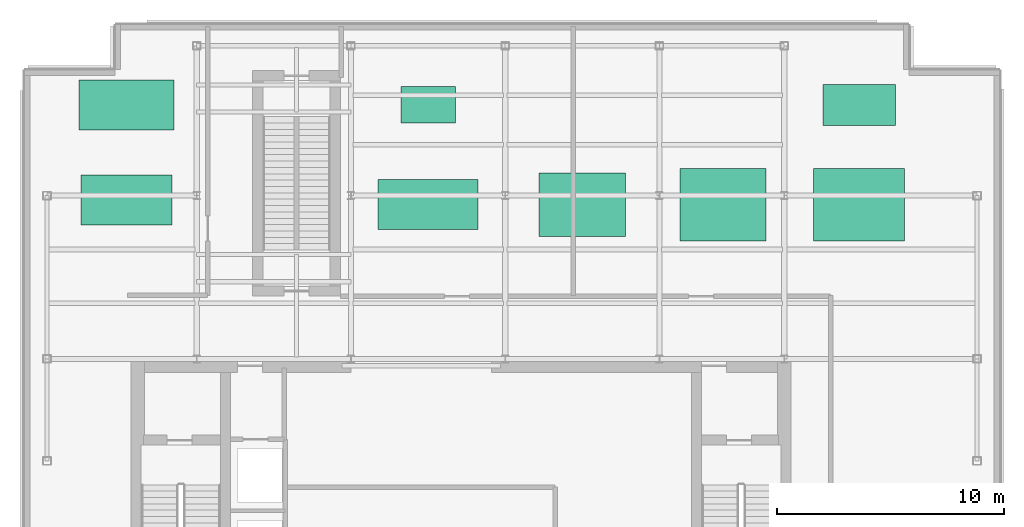
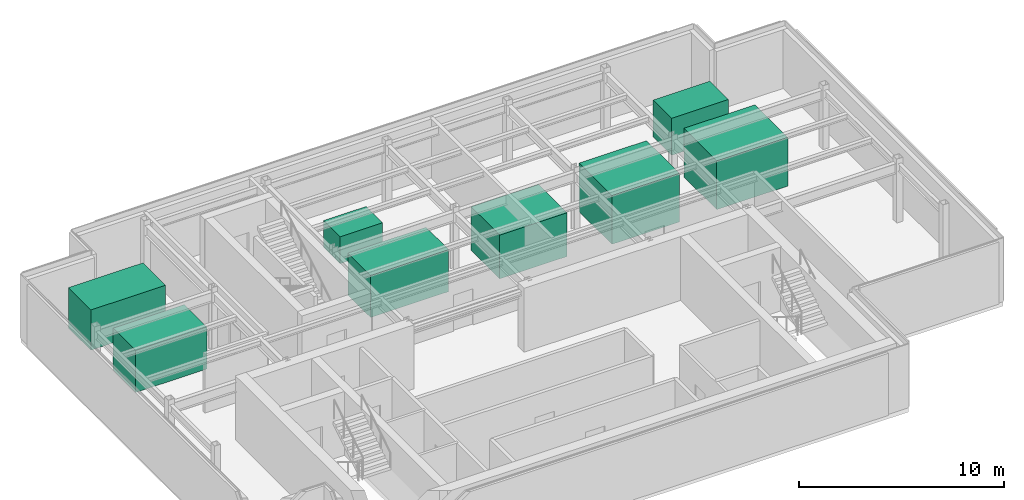
# One storey, part 7 of 7: 2 chillers, 2 cooling towers, 1 boiler, 1 pump, 1 tank, 1 unitary equipment element.
"""IFC4 building model written with IfcOpenShell, lengths in metres."""

import ifcopenshell
import ifcopenshell.guid

model = None  # the IFC model being written
_history = None  # IfcOwnerHistory: only IFC2X3 demands one
_inside = {}  # id of a spatial element -> (the spatial element, [elements in it])
_under = {}  # id of a project, library or spatial element -> (it, [spatial elements below it])
_declared = {}  # id of a project -> (the project, [libraries it declares])
_typed = {}  # id of a type object -> (the type object, [elements of that type])
_made_of = {}  # id of a material, layer set ... -> (it, [elements and type objects made of it])


def new_model(schema):
    """Start an empty IFC model of exactly this schema.

    Asked for "IFC4X3", IfcOpenShell would pick the latest addendum, in which some entities
    have other attributes; the version numbers below select the first issue.
    IFC2X3 requires an IfcOwnerHistory on every rooted entity: one is made here for all.
    """
    global model, _history
    if schema == "IFC4X3":
        model = ifcopenshell.file(schema_version=(4, 3, 0, 0))
    else:
        model = ifcopenshell.file(schema=schema)
    _inside.clear()
    _under.clear()
    _declared.clear()
    _typed.clear()
    _made_of.clear()
    _history = None
    if model.schema == "IFC2X3":
        org = make("IfcOrganization", Name="unknown")
        user = make(
            "IfcPersonAndOrganization",
            ThePerson=make("IfcPerson", FamilyName="unknown"),
            TheOrganization=org,
        )
        app = make(
            "IfcApplication",
            ApplicationDeveloper=org,
            Version="unknown",
            ApplicationFullName="unknown",
            ApplicationIdentifier="unknown",
        )
        _history = make(
            "IfcOwnerHistory",
            OwningUser=user,
            OwningApplication=app,
            ChangeAction="ADDED",
            CreationDate=0,
        )
    return model


def make(cls, **values):
    """One entity of the class cls with the attributes given. An attribute that is None is left unset."""
    return model.create_entity(
        cls, **{name: value for name, value in values.items() if value is not None}
    )


def rooted(cls, **values):
    """An entity with a GlobalId (a new one), such as an element, a storey or a relation."""
    return make(cls, GlobalId=ifcopenshell.guid.new(), OwnerHistory=_history, **values)


def si_unit(unit_type, name, prefix=None):
    """IfcSIUnit, for example si_unit("LENGTHUNIT", "METRE", prefix="MILLI")."""
    return make("IfcSIUnit", UnitType=unit_type, Prefix=prefix, Name=name)


def derived_unit(unit_type, elements):
    """IfcDerivedUnit: a product of units, each with its exponent."""
    return make(
        "IfcDerivedUnit",
        Elements=[
            make("IfcDerivedUnitElement", Unit=unit, Exponent=power)
            for unit, power in elements
        ],
        UnitType=unit_type,
    )


def assignment(units):
    """IfcUnitAssignment: the units of a project."""
    return None if units is None else make("IfcUnitAssignment", Units=units)


def point(xyz):
    """IfcCartesianPoint."""
    return None if xyz is None else make("IfcCartesianPoint", Coordinates=xyz)


def direction(xyz):
    """IfcDirection."""
    return None if xyz is None else make("IfcDirection", DirectionRatios=xyz)


def frame(location, z_axis=None, x_axis=None):
    """IfcAxis2Placement3D, a coordinate frame: its origin and axes. An axis left out is left unset."""
    return make(
        "IfcAxis2Placement3D",
        Location=point(location),
        Axis=direction(z_axis),
        RefDirection=direction(x_axis),
    )


def frame_2d(location, x_axis=None):
    """IfcAxis2Placement2D, a coordinate frame in the plane: its origin and x axis."""
    return make(
        "IfcAxis2Placement2D", Location=point(location), RefDirection=direction(x_axis)
    )


def origin():
    """The frame at (0, 0, 0) with its axes left unset."""
    return frame((0.0, 0.0, 0.0))


def origin_2d():
    """The frame at (0, 0) in the plane with its x axis left unset."""
    return frame_2d((0.0, 0.0))


def place(relative_to, where):
    """IfcLocalPlacement: puts the frame where relative to a parent placement (None: the world)."""
    return make(
        "IfcLocalPlacement", PlacementRelTo=relative_to, RelativePlacement=where
    )


def context(
    kind, dimensions, precision=None, world=None, true_north=None, identifier=None
):
    """IfcGeometricRepresentationContext, for example the 3D "Model" context."""
    return make(
        "IfcGeometricRepresentationContext",
        ContextIdentifier=identifier,
        ContextType=kind,
        CoordinateSpaceDimension=dimensions,
        Precision=precision,
        WorldCoordinateSystem=world,
        TrueNorth=true_north,
    )


def subcontext(parent, identifier, kind, view, scale=None):
    """IfcGeometricRepresentationSubContext, for example "Body" below "Model"."""
    return make(
        "IfcGeometricRepresentationSubContext",
        ContextIdentifier=identifier,
        ContextType=kind,
        ParentContext=parent,
        TargetScale=scale,
        TargetView=view,
    )


def project(units=None, contexts=None):
    """IfcProject with its units and contexts."""
    return rooted(
        "IfcProject",
        Name="project",
        RepresentationContexts=contexts,
        UnitsInContext=assignment(units),
    )


def spatial(cls, under=None, at=None, **own):
    """A site, building, storey or space (cls), placed at a placement, below another one or the project."""
    s = rooted(cls, ObjectPlacement=at, **own)
    if under is not None:
        _under.setdefault(under.id(), (under, []))[1].append(s)
    return s


def profile(cls, at=None, kind="AREA", **sizes):
    """A parametric profile (cls). Its sizes go by their IFC names, for example OverallWidth=200.0."""
    return make(cls, ProfileType=kind, Position=at, **sizes)


def rectangle(**sizes):
    """IfcRectangleProfileDef."""
    return profile("IfcRectangleProfileDef", **sizes)


def extrude(swept, where, along, depth):
    """IfcExtrudedAreaSolid: the profile swept, set in the frame where, extruded along a direction by depth."""
    return make(
        "IfcExtrudedAreaSolid",
        SweptArea=swept,
        Position=where,
        ExtrudedDirection=direction(along),
        Depth=depth,
    )


def shape(context_of_items, identifier, shape_type, items):
    """IfcShapeRepresentation: the items that make up one representation, for example the "Body"."""
    return make(
        "IfcShapeRepresentation",
        ContextOfItems=context_of_items,
        RepresentationIdentifier=identifier,
        RepresentationType=shape_type,
        Items=items,
    )


def source(mapping_origin, context_of_items, identifier, shape_type, items):
    """IfcRepresentationMap: a shape defined once, which mapped items show again and again."""
    return make(
        "IfcRepresentationMap",
        MappingOrigin=mapping_origin,
        MappedRepresentation=shape(context_of_items, identifier, shape_type, items),
    )


def transform(
    local_origin,
    x_axis=None,
    y_axis=None,
    z_axis=None,
    scale=None,
    scale2=None,
    scale3=None,
    uniform=True,
):
    """IfcCartesianTransformationOperator3D, or its non-uniform kind. x_axis, y_axis, z_axis: its Axis1, 2, 3."""
    if uniform:
        return make(
            "IfcCartesianTransformationOperator3D",
            Axis1=direction(x_axis),
            Axis2=direction(y_axis),
            LocalOrigin=point(local_origin),
            Scale=scale,
            Axis3=direction(z_axis),
        )
    return make(
        "IfcCartesianTransformationOperator3DnonUniform",
        Axis1=direction(x_axis),
        Axis2=direction(y_axis),
        LocalOrigin=point(local_origin),
        Scale=scale,
        Axis3=direction(z_axis),
        Scale2=scale2,
        Scale3=scale3,
    )


def mapped(mapping_source, mapping_target):
    """IfcMappedItem: shows the shape of a source again, moved by a transform."""
    return make(
        "IfcMappedItem", MappingSource=mapping_source, MappingTarget=mapping_target
    )


def material(Name=None, Category=None):
    """IfcMaterial."""
    return make("IfcMaterial", Name=Name, Category=Category)


def made_of(thing, what):
    """Note that an element or type object is made of a material, layer set ...; save() writes the relation."""
    if what is not None:
        _made_of.setdefault(what.id(), (what, []))[1].append(thing)
    return thing


def type_object(cls, material=None, **own):
    """A type object (cls), such as IfcWallType, which elements share."""
    return made_of(rooted(cls, **own), material)


def element(
    cls,
    number,
    at=None,
    inside=None,
    cuts=None,
    type_object=None,
    material=None,
    context=None,
    identifier="Body",
    shape_type=None,
    held_by="IfcProductDefinitionShape",
    body=None,
    shapes=None,
    **own,
):
    """One element of the class cls, such as IfcWall. Its Tag is "e" and its number.

    at: its placement. inside: the storey or other place that contains it. cuts: it is an
    opening in that element (IfcRelVoidsElement). A single representation is given by context,
    identifier, shape_type and body (its items); several are given by shapes. held_by: the class
    of the entity that holds the representations. save() writes the other relations.
    """
    e = rooted(cls, Tag="e%d" % number, ObjectPlacement=at, **own)
    if body is not None:
        shapes = [shape(context, identifier, shape_type, body)]
    if shapes is not None:
        e.Representation = make(held_by, Representations=shapes)
    if inside is not None:
        _inside.setdefault(inside.id(), (inside, []))[1].append(e)
    if cuts is not None:
        rooted(
            "IfcRelVoidsElement", RelatingBuildingElement=cuts, RelatedOpeningElement=e
        )
    if type_object is not None:
        _typed.setdefault(type_object.id(), (type_object, []))[1].append(e)
    return made_of(e, material)


def aggregate(whole, parts):
    """IfcRelAggregates: a whole, such as a stair, and the parts it consists of."""
    return rooted("IfcRelAggregates", RelatingObject=whole, RelatedObjects=parts)


def save(model, path):
    """Write the relations noted so far, then the file.

    IfcRelAggregates (storeys below a building ...), IfcRelContainedInSpatialStructure (elements
    in a storey), IfcRelDefinesByType, IfcRelAssociatesMaterial and IfcRelDeclares: one each for
    every whole, place, type object, material and project.
    """
    for whole, parts in _under.values():
        aggregate(whole, parts)
    for where, things in _inside.values():
        rooted(
            "IfcRelContainedInSpatialStructure",
            RelatedElements=things,
            RelatingStructure=where,
        )
    for kind, things in _typed.values():
        rooted("IfcRelDefinesByType", RelatedObjects=things, RelatingType=kind)
    for what, things in _made_of.values():
        rooted("IfcRelAssociatesMaterial", RelatedObjects=things, RelatingMaterial=what)
    for by, libraries in _declared.values():
        rooted("IfcRelDeclares", RelatingContext=by, RelatedDefinitions=libraries)
    model.write(path)


model = new_model("IFC4")

# Units and contexts
model_context = context("Model", 3, precision=1e-05, world=origin(), true_north=direction((0.0, 1.0)))
body_context = subcontext(model_context, "Body", "Model", "MODEL_VIEW")
ifc_project = project(units=[si_unit("LENGTHUNIT", "METRE"), si_unit("AREAUNIT", "SQUARE_METRE"), si_unit("VOLUMEUNIT", "CUBIC_METRE"), si_unit("PLANEANGLEUNIT", "RADIAN"), si_unit("MASSUNIT", "GRAM", prefix="KILO"), derived_unit("THERMALTRANSMITTANCEUNIT", [(si_unit("POWERUNIT", "WATT"), 1), (si_unit("LENGTHUNIT", "METRE"), -2), (si_unit("THERMODYNAMICTEMPERATUREUNIT", "KELVIN"), -1)])], contexts=[model_context])

# Site, building, storey
site_placement = place(None, origin())
site = spatial("IfcSite", under=ifc_project, at=site_placement, CompositionType="ELEMENT")
building_placement = place(site_placement, origin())
building = spatial("IfcBuilding", under=site, at=building_placement, Name="Skarnbrae Concourse Arena and Tower", CompositionType="ELEMENT")
storey_placement = place(building_placement, frame((0.0, 0.0, 299.85009765625)))
storey = spatial("IfcBuildingStorey", under=building, at=storey_placement, Name="L78", CompositionType="ELEMENT", Elevation=299.85009765625)

# Chiller
ifc_material = material(Name="Painted steel mechanical equipment skid", Category="steel")
chiller_type = type_object("IfcChillerType", Name="EQP-CHILLER-CENT", PredefinedType="NOTDEFINED", material=ifc_material)
shared_shape_1 = source(origin(), body_context, "Body", "SweptSolid", [
    extrude(rectangle(XDim=4.0, YDim=2.199951171875, at=origin_2d()), origin(), (0.0, 0.0, 1.0), 2.5),
])
chiller_1_placement = place(storey_placement, frame((4.5, 21.0, 0.0), z_axis=(0.0, 0.0, 1.0), x_axis=(1.0, 0.0, 0.0)))
element("IfcChiller", 1, at=chiller_1_placement, inside=storey, type_object=chiller_type, Name="L78 Crown mechanical plant unit CH1", PredefinedType="NOTDEFINED", context=body_context, shape_type="MappedRepresentation", body=[
    mapped(shared_shape_1, transform((0.0, 0.0, 0.0))),
])

# Cooling towers
cooling_tower_type = type_object("IfcCoolingTowerType", Name="EQP-CTOWER-CELL", PredefinedType="NOTDEFINED", material=ifc_material)
shared_shape_2 = source(origin(), body_context, "Body", "SweptSolid", [
    extrude(rectangle(XDim=3.800048828125, YDim=3.199951171875, at=origin_2d()), origin(), (0.0, 0.0, 1.0), 2.89990234375),
])
cooling_tower_1_placement = place(storey_placement, frame((30.800048828125, 20.800048828125, 0.0), z_axis=(0.0, 0.0, 1.0), x_axis=(1.0, 0.0, 0.0)))
element("IfcCoolingTower", 2, at=cooling_tower_1_placement, inside=storey, type_object=cooling_tower_type, Name="L78 Crown mechanical plant unit CT1", PredefinedType="NOTDEFINED", context=body_context, shape_type="MappedRepresentation", body=[
    mapped(shared_shape_2, transform((0.0, 0.0, 0.0))),
])
shared_shape_3 = source(origin(), body_context, "Body", "SweptSolid", [
    extrude(rectangle(XDim=4.0, YDim=3.199951171875, at=origin_2d()), origin(), (0.0, 0.0, 1.0), 2.89990234375),
])
cooling_tower_2_placement = place(storey_placement, frame((36.800048828125, 20.800048828125, 0.0), z_axis=(0.0, 0.0, 1.0), x_axis=(1.0, 0.0, 0.0)))
element("IfcCoolingTower", 3, at=cooling_tower_2_placement, inside=storey, type_object=cooling_tower_type, Name="L78 Crown mechanical plant unit CT2", PredefinedType="NOTDEFINED", context=body_context, shape_type="MappedRepresentation", body=[
    mapped(shared_shape_3, transform((0.0, 0.0, 0.0))),
])

# Unitary equipment
unitary_equipment_type = type_object("IfcUnitaryEquipmentType", Name="EQP-AHU-CUSTOM", PredefinedType="NOTDEFINED", material=ifc_material)
shared_shape_4 = source(origin(), body_context, "Body", "SweptSolid", [
    extrude(rectangle(XDim=4.199951171875, YDim=2.199951171875, at=origin_2d()), origin(), (0.0, 0.0, 1.0), 2.39990234375),
])
unitary_equipment_placement = place(storey_placement, frame((4.5, 25.199951171875, 0.0), z_axis=(0.0, 0.0, 1.0), x_axis=(1.0, 0.0, 0.0)))
element("IfcUnitaryEquipment", 4, at=unitary_equipment_placement, inside=storey, type_object=unitary_equipment_type, Name="L78 Crown mechanical plant unit AH1", PredefinedType="NOTDEFINED", context=body_context, shape_type="MappedRepresentation", body=[
    mapped(shared_shape_4, transform((0.0, 0.0, 0.0))),
])

# Boiler
boiler_type = type_object("IfcBoilerType", Name="EQP-BOILER-COND", PredefinedType="NOTDEFINED", material=ifc_material)
shared_shape_5 = source(origin(), body_context, "Body", "SweptSolid", [
    extrude(rectangle(XDim=3.199951171875, YDim=1.800048828125, at=origin_2d()), origin(), (0.0, 0.0, 1.0), 2.199951171875),
])
boiler_placement = place(storey_placement, frame((36.800048828125, 25.199951171875, 0.0), z_axis=(0.0, 0.0, 1.0), x_axis=(1.0, 0.0, 0.0)))
element("IfcBoiler", 5, at=boiler_placement, inside=storey, type_object=boiler_type, Name="L78 Crown mechanical plant unit BL1", PredefinedType="NOTDEFINED", context=body_context, shape_type="MappedRepresentation", body=[
    mapped(shared_shape_5, transform((0.0, 0.0, 0.0))),
])

# Chiller
shared_shape_6 = source(origin(), body_context, "Body", "SweptSolid", [
    extrude(rectangle(XDim=4.39990234375, YDim=2.199951171875, at=origin_2d()), origin(), (0.0, 0.0, 1.0), 2.5),
])
chiller_2_placement = place(storey_placement, frame((17.800048828125, 20.800048828125, 0.0), z_axis=(0.0, 0.0, 1.0), x_axis=(1.0, 0.0, 0.0)))
element("IfcChiller", 6, at=chiller_2_placement, inside=storey, type_object=chiller_type, Name="L78 Crown mechanical plant unit CH2", PredefinedType="NOTDEFINED", context=body_context, shape_type="MappedRepresentation", body=[
    mapped(shared_shape_6, transform((0.0, 0.0, 0.0))),
])

# Tank
tank_type = type_object("IfcTankType", Name="EQP-WTANK-DOM", PredefinedType="NOTDEFINED", material=ifc_material)
shared_shape_7 = source(origin(), body_context, "Body", "SweptSolid", [
    extrude(rectangle(XDim=3.800048828125, YDim=2.800048828125, at=origin_2d()), origin(), (0.0, 0.0, 1.0), 2.60009765625),
])
tank_placement = place(storey_placement, frame((24.60009765625, 20.800048828125, -0.000244140625), z_axis=(0.0, 0.0, 1.0), x_axis=(1.0, 0.0, 0.0)))
element("IfcTank", 7, at=tank_placement, inside=storey, type_object=tank_type, Name="L78 Crown mechanical plant unit TK1", PredefinedType="NOTDEFINED", context=body_context, shape_type="MappedRepresentation", body=[
    mapped(shared_shape_7, transform((0.0, 0.0, 0.0))),
])

# Pump
pump_type = type_object("IfcPumpType", Name="EQP-PUMP-SKID", PredefinedType="NOTDEFINED", material=ifc_material)
shared_shape_8 = source(origin(), body_context, "Body", "SweptSolid", [
    extrude(rectangle(XDim=2.39990234375, YDim=1.60009765625, at=origin_2d()), origin(), (0.0, 0.0, 1.0), 1.60009765625),
])
pump_placement = place(storey_placement, frame((17.800048828125, 25.199951171875, -0.000244140625), z_axis=(0.0, 0.0, 1.0), x_axis=(1.0, 0.0, 0.0)))
element("IfcPump", 8, at=pump_placement, inside=storey, type_object=pump_type, Name="L78 Crown mechanical plant unit PM1", PredefinedType="NOTDEFINED", context=body_context, shape_type="MappedRepresentation", body=[
    mapped(shared_shape_8, transform((0.0, 0.0, 0.0))),
])

save(model, "model.ifc")
